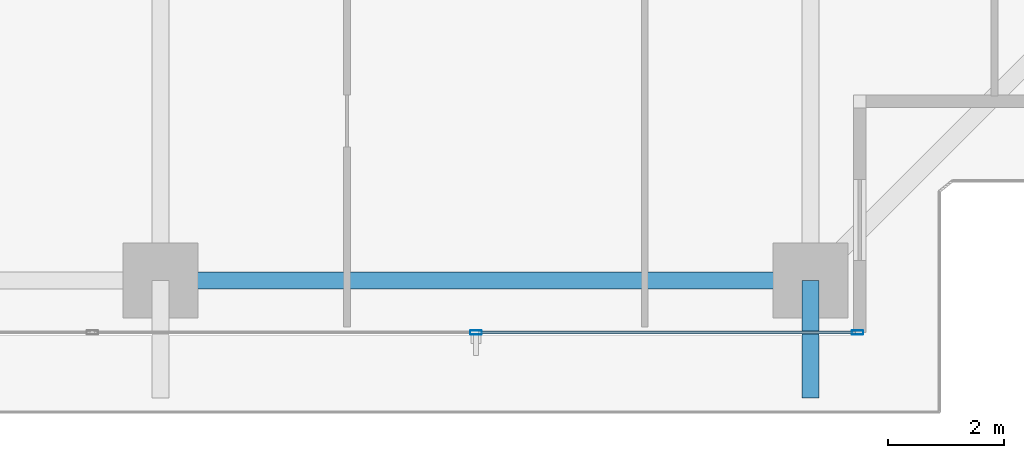
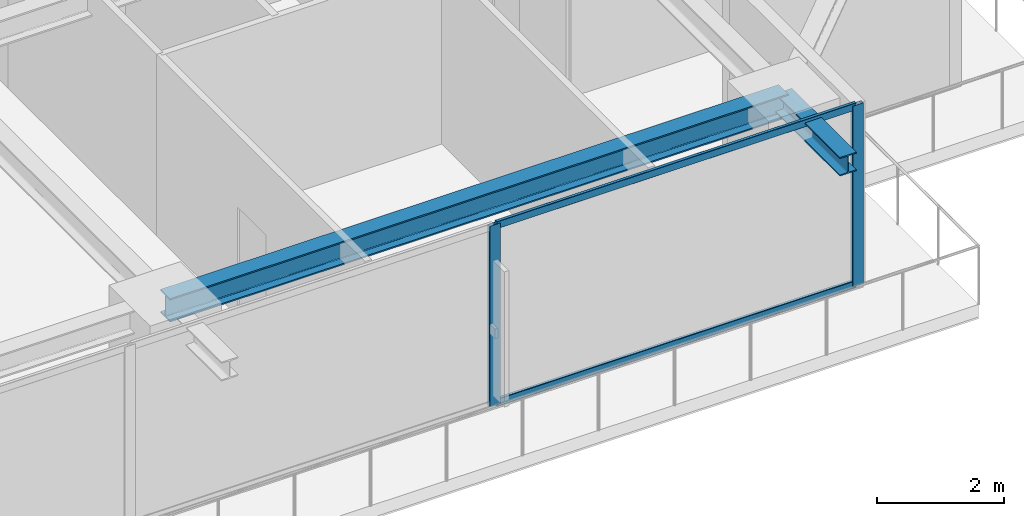
# One storey, part 10 of 34: 4 members, 2 beams, 1 element without a shape of its own.
"""IFC4 building model written with IfcOpenShell, lengths in metres."""

from ifc_helpers import new_model, si_unit, direction, frame, origin, origin_2d, place, context, subcontext, project, spatial, hollow_rectangle, i_section, extrude, source, transform, mapped, material, layer, layer_set, material_profile, profile_set, type_object, element, aggregate, save


model = new_model("IFC4")

# Units and contexts
model_context = context("Model", 3, precision=1e-05, world=origin(), true_north=direction((0.0, 1.0)))
body_context = subcontext(model_context, "Body", "Model", "MODEL_VIEW")
ifc_project = project(units=[si_unit("LENGTHUNIT", "METRE"), si_unit("AREAUNIT", "SQUARE_METRE"), si_unit("VOLUMEUNIT", "CUBIC_METRE"), si_unit("PLANEANGLEUNIT", "RADIAN"), si_unit("MASSUNIT", "GRAM", prefix="KILO")], contexts=[model_context])

# Site, building, storey
site_placement = place(None, origin())
site = spatial("IfcSite", under=ifc_project, at=site_placement, CompositionType="ELEMENT")
building_placement = place(site_placement, origin())
building = spatial("IfcBuilding", under=site, at=building_placement, Name="Serunith Strait Residences", CompositionType="ELEMENT")
storey_placement = place(building_placement, frame((0.0, 0.0, 135.14990234375)))
storey = spatial("IfcBuildingStorey", under=building, at=storey_placement, Name="L33", CompositionType="ELEMENT", Elevation=135.14990234375)

# Beams
ifc_material_1 = material(Name="Steel S355J2", Category="steel")
ifc_material_profile_1 = material_profile(ifc_material_1, i_section(OverallWidth=0.300048828125, OverallDepth=0.449951171875, WebThickness=0.013916015625, FlangeThickness=0.02587890625, FilletRadius=0.027099609375, at=origin_2d()), Name="HEB 450")
ifc_profile_set_1 = profile_set([ifc_material_profile_1], Name="Steel S355J2")
beam_type_1 = type_object("IfcBeamType", Name="BM-HEB450", PredefinedType="BEAM", material=ifc_profile_set_1)
shared_shape_1 = source(origin(), body_context, "Body", "SweptSolid", [
    extrude(i_section(OverallWidth=0.300048828125, OverallDepth=0.449951171875, WebThickness=0.013916015625, FlangeThickness=0.02587890625, FilletRadius=0.027099609375, at=origin_2d()), origin(), (0.0, 0.0, 1.0), 11.25),
])
beam_1_placement = place(storey_placement, frame((36.89990234375, 2.300048828125, 3.26220703125), z_axis=(1.0, 0.0, 0.0), x_axis=(0.0, 1.0, 0.0)))
element("IfcBeam", 1, at=beam_1_placement, inside=storey, type_object=beam_type_1, Name="L33 Perimeter Ring Beam 03", PredefinedType="BEAM", context=body_context, shape_type="MappedRepresentation", body=[
    mapped(shared_shape_1, transform((0.0, 0.0, 0.0), scale=1.0)),
])
ifc_material_profile_2 = material_profile(ifc_material_1, i_section(OverallWidth=0.300048828125, OverallDepth=0.360107421875, WebThickness=0.012451171875, FlangeThickness=0.0224609375, FilletRadius=0.027099609375, at=origin_2d()), Name="HEB 360")
ifc_profile_set_2 = profile_set([ifc_material_profile_2], Name="Steel S355J2")
beam_type_2 = type_object("IfcBeamType", Name="BM-HEB360", PredefinedType="BEAM", material=ifc_profile_set_2)
shared_shape_2 = source(origin(), body_context, "Body", "SweptSolid", [
    extrude(i_section(OverallWidth=0.300048828125, OverallDepth=0.360107421875, WebThickness=0.012451171875, FlangeThickness=0.0224609375, FilletRadius=0.027099609375, at=origin_2d()), origin(), (0.0, 0.0, 1.0), 2.030029296875),
])
beam_2_placement = place(storey_placement, frame((48.14990234375, 2.300048828125, 3.277099609375), z_axis=(0.0, -1.0, 0.0), x_axis=(1.0, 0.0, 0.0)))
element("IfcBeam", 2, at=beam_2_placement, inside=storey, type_object=beam_type_2, Name="L34 Cantilevered Balcony Rib TC-S4", PredefinedType="BEAM", context=body_context, shape_type="MappedRepresentation", body=[
    mapped(shared_shape_2, transform((0.0, 0.0, 0.0), scale=1.0)),
])

# Curtain wall, members
ifc_material_2 = material(Name="Pale-Champagne Anodised Aluminium", Category="aluminium")
ifc_layer = layer(ifc_material_2, 0.199951171875, Name="Pale-Champagne Anodised Aluminium")
ifc_layer_set = layer_set([ifc_layer], Name="Pale-Champagne Anodised Aluminium")
curtain_wall_type = type_object("IfcCurtainWallType", Name="CW-SYS2", PredefinedType="NOTDEFINED", material=ifc_layer_set)
curtain_wall_placement = place(storey_placement, origin())
curtain_wall = element("IfcCurtainWall", 3, at=curtain_wall_placement, inside=storey, type_object=curtain_wall_type, Name="L33 S Unitised Fritted Curtain Wall", PredefinedType="NOTDEFINED")
ifc_material_profile_3 = material_profile(ifc_material_2, hollow_rectangle(XDim=0.070068359375, YDim=0.199951171875, WallThickness=0.00390625, InnerFilletRadius=0.006103515625, OuterFilletRadius=0.010009765625, at=origin_2d()), Name="ALU 200x70x4")
ifc_profile_set_3 = profile_set([ifc_material_profile_3], Name="Pale-Champagne Anodised Aluminium")
member_type_1 = type_object("IfcMemberType", Name="CW-SYS2-MULL", PredefinedType="MULLION", material=ifc_profile_set_3)
shared_shape_3 = source(origin(), body_context, "Body", "SweptSolid", [
    extrude(hollow_rectangle(XDim=0.070068359375, YDim=0.199951171875, WallThickness=0.00390625, InnerFilletRadius=0.006103515625, OuterFilletRadius=0.010009765625, at=origin_2d()), origin(), (0.0, 0.0, 1.0), 3.47509765625),
])
member_1_placement = place(storey_placement, frame((42.360107421875, 1.39990234375, 0.0), z_axis=(0.0, 0.0, 1.0), x_axis=(0.0, 1.0, 0.0)))
member_1 = element("IfcMember", 4, at=member_1_placement, type_object=member_type_1, Name="CW-2 mullion 5", PredefinedType="MULLION", context=body_context, shape_type="MappedRepresentation", body=[
    mapped(shared_shape_3, transform((0.0, 0.0, 0.0), scale=1.0)),
])
member_2_placement = place(storey_placement, frame((48.965087890625, 1.39990234375, 0.0), z_axis=(0.0, 0.0, 1.0), x_axis=(0.0, 1.0, 0.0)))
member_2 = element("IfcMember", 5, at=member_2_placement, type_object=member_type_1, Name="CW-2 mullion 6", PredefinedType="MULLION", context=body_context, shape_type="MappedRepresentation", body=[
    mapped(shared_shape_3, transform((0.0, 0.0, 0.0), scale=1.0)),
])
ifc_material_profile_4 = material_profile(ifc_material_2, hollow_rectangle(XDim=0.06005859375, YDim=0.139892578125, WallThickness=0.00341796875, InnerFilletRadius=0.00537109375, OuterFilletRadius=0.0087890625, at=origin_2d()), Name="ALU 140x60x3.5")
ifc_profile_set_4 = profile_set([ifc_material_profile_4], Name="Pale-Champagne Anodised Aluminium")
member_type_2 = type_object("IfcMemberType", Name="CW-SYS2-TRAN", PredefinedType="USERDEFINED", material=ifc_profile_set_4)
shared_shape_4 = source(origin(), body_context, "Body", "SweptSolid", [
    extrude(hollow_rectangle(XDim=0.06005859375, YDim=0.139892578125, WallThickness=0.00341796875, InnerFilletRadius=0.00537109375, OuterFilletRadius=0.0087890625, at=origin_2d()), origin(), (0.0, 0.0, 1.0), 6.534912109375),
])
member_3_placement = place(storey_placement, frame((42.39501953125, 1.39990234375, 0.030029296875), z_axis=(1.0, 0.0, 0.0), x_axis=(0.0, 1.0, 0.0)))
member_3 = element("IfcMember", 6, at=member_3_placement, type_object=member_type_2, Name="CW-2 transom 5.1", ObjectType="TRANSOM", PredefinedType="USERDEFINED", context=body_context, shape_type="MappedRepresentation", body=[
    mapped(shared_shape_4, transform((0.0, 0.0, 0.0), scale=1.0)),
])
member_4_placement = place(storey_placement, frame((42.39501953125, 1.39990234375, 3.445068359375), z_axis=(1.0, 0.0, 0.0), x_axis=(0.0, 1.0, 0.0)))
member_4 = element("IfcMember", 7, at=member_4_placement, type_object=member_type_2, Name="CW-2 transom 5.2", ObjectType="TRANSOM", PredefinedType="USERDEFINED", context=body_context, shape_type="MappedRepresentation", body=[
    mapped(shared_shape_4, transform((0.0, 0.0, 0.0), scale=1.0)),
])
aggregate(curtain_wall, [member_1, member_2, member_3, member_4])

save(model, "model.ifc")
